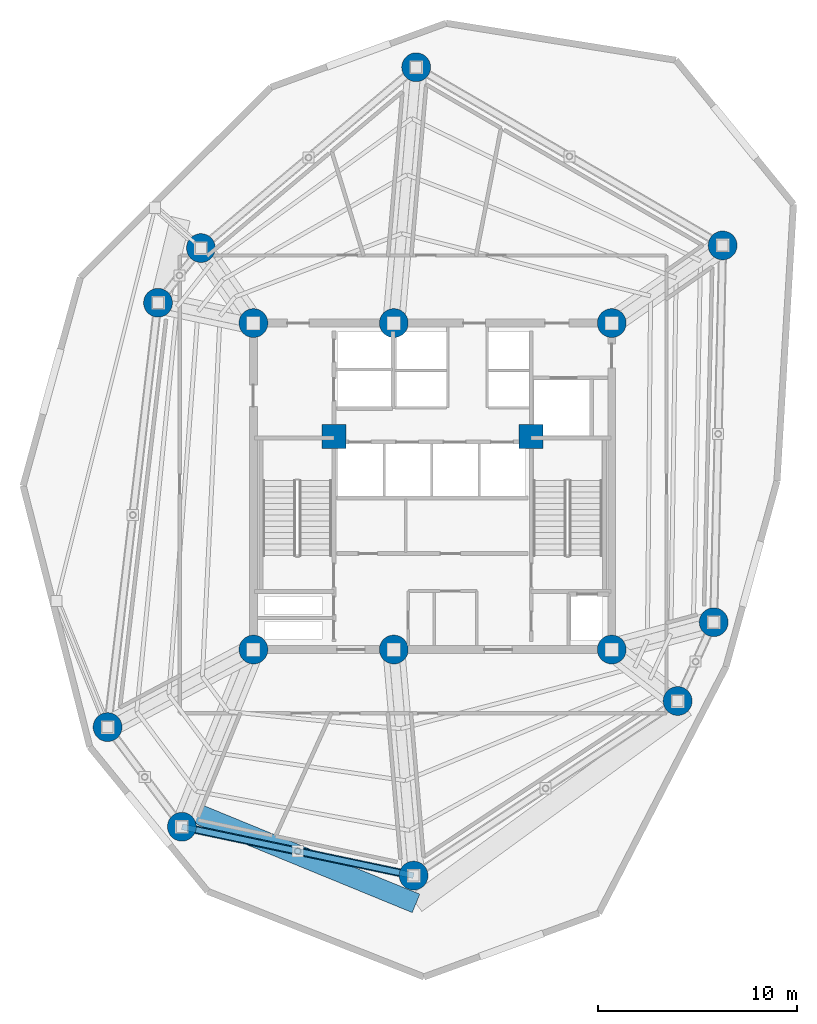
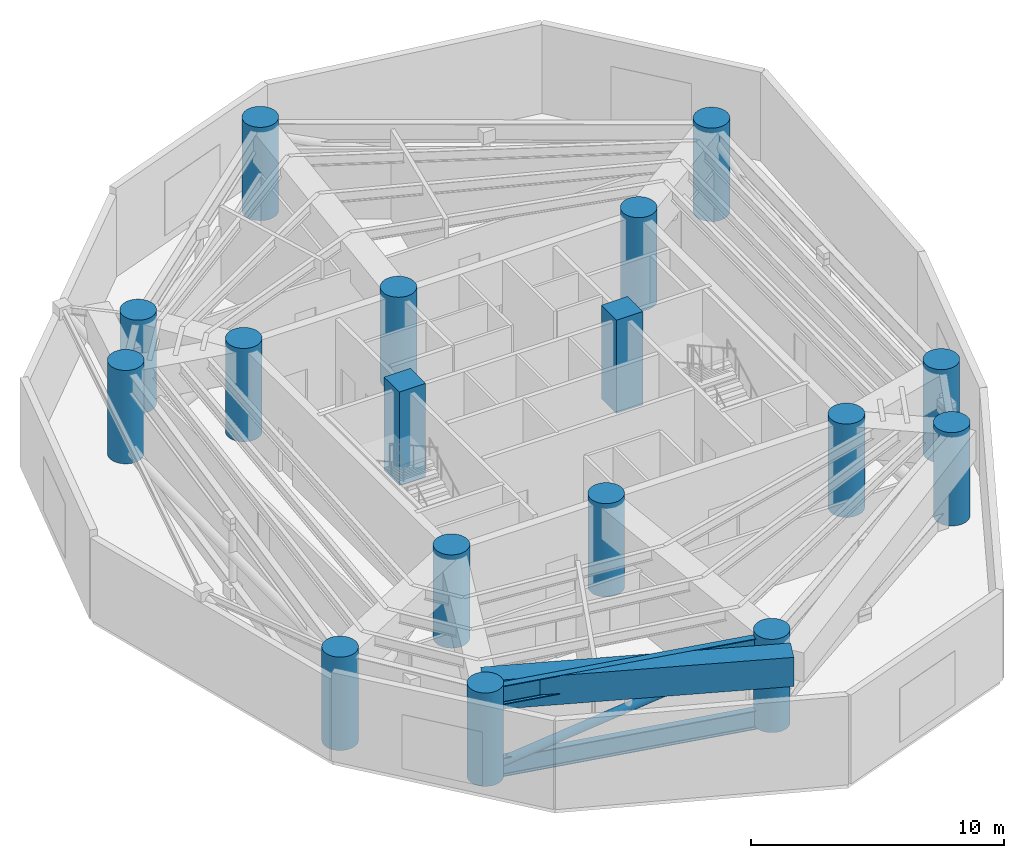
# One storey, part 1 of 11: 17 columns, 2 beams, 2 members.
"""IFC4 building model written with IfcOpenShell, lengths in metres."""

from ifc_helpers import new_model, si_unit, direction, frame, origin, origin_with_axes, origin_2d, place, context, subcontext, project, spatial, rectangle, circle, hollow_circle, i_section, extrude, source, transform, mapped, material, material_profile, profile_set, type_object, element, save


model = new_model("IFC4")

# Units and contexts
model_context = context("Model", 3, precision=1e-05, world=origin(), true_north=direction((0.0, 1.0)))
body_context = subcontext(model_context, "Body", "Model", "MODEL_VIEW")
ifc_project = project(units=[si_unit("LENGTHUNIT", "METRE"), si_unit("AREAUNIT", "SQUARE_METRE"), si_unit("VOLUMEUNIT", "CUBIC_METRE"), si_unit("PLANEANGLEUNIT", "RADIAN"), si_unit("MASSUNIT", "GRAM", prefix="KILO")], contexts=[model_context])

# Site, building, storey
site_placement = place(None, origin())
site = spatial("IfcSite", under=ifc_project, at=site_placement, CompositionType="ELEMENT")
building_placement = place(site_placement, origin())
building = spatial("IfcBuilding", under=site, at=building_placement, Name="Karkom Vertical University and Central Library", CompositionType="ELEMENT")
storey_placement = place(building_placement, frame((0.0, 0.0, 148.050048828125)))
storey = spatial("IfcBuildingStorey", under=building, at=storey_placement, Name="P42", CompositionType="ELEMENT", Elevation=148.050048828125)

# Columns
ifc_material_1 = material(Name="Concrete C50/60", Category="concrete")
ifc_material_profile_1 = material_profile(ifc_material_1, rectangle(XDim=1.199951171875, YDim=1.199951171875, at=origin_2d()), Name="RC-1200x1200")
ifc_profile_set_1 = profile_set([ifc_material_profile_1], Name="Concrete C50/60")
column_type_1 = type_object("IfcColumnType", Name="STR-COL-C-CC1", PredefinedType="COLUMN", material=ifc_profile_set_1)
shared_shape_1 = source(origin_with_axes(), body_context, "Body", "SweptSolid", [
    extrude(rectangle(XDim=1.199951171875, YDim=1.199951171875, at=origin_2d()), origin(), (0.0, 0.0, 1.0), 4.5),
])
for number, where, z_axis, x_axis, name in (
    (1, (23.550048828125, 29.0, 0.0), (0.0, 0.0, 1.0), (1.0, 0.0, 0.0), "Plant Level 42 Core Node Column CC-1"),
    (2, (33.449951171875, 29.0, 0.0), (0.0, 0.0, 1.0), (1.0, 0.0, 0.0), "Plant Level 42 Core Node Column CC-2"),
):
    element("IfcColumn", number, at=place(storey_placement, frame(where, z_axis=z_axis, x_axis=x_axis)), inside=storey, type_object=column_type_1, Name=name, PredefinedType="COLUMN", context=body_context, shape_type="MappedRepresentation", body=[
        mapped(shared_shape_1, transform((0.0, 0.0, 0.0), scale=1.0)),
    ])
ifc_material_profile_2 = material_profile(ifc_material_1, circle(Radius=0.72509765625, at=origin_2d()), Name="CFT-D1450")
ifc_profile_set_2 = profile_set([ifc_material_profile_2], Name="Concrete C50/60")
column_type_2 = type_object("IfcColumnType", Name="STR-COL-C-SC3", PredefinedType="COLUMN", material=ifc_profile_set_2)
shared_shape_2 = source(origin_with_axes(), body_context, "Body", "SweptSolid", [
    extrude(circle(Radius=0.72509765625, at=origin_2d()), origin(), (0.0, 0.0, 1.0), 4.5),
])
for number, where, z_axis, x_axis, name in (
    (3, (19.5, 18.300048828125, 0.0), (0.0, 0.0, 1.0), (1.0, 0.0, 0.0), "Plant Level 42 Spine Mega-Column SC-1"),
    (4, (26.550048828125, 18.300048828125, 0.0), (0.0, 0.0, 1.0), (1.0, 0.0, 0.0), "Plant Level 42 Spine Mega-Column SC-2"),
    (5, (37.5, 18.300048828125, 0.0), (0.0, 0.0, 1.0), (1.0, 0.0, 0.0), "Plant Level 42 Spine Mega-Column SC-3"),
    (6, (19.5, 34.699951171875, 0.0), (0.0, 0.0, 1.0), (1.0, 0.0, 0.0), "Plant Level 42 Spine Mega-Column SC-4"),
    (7, (26.550048828125, 34.699951171875, 0.0), (0.0, 0.0, 1.0), (1.0, 0.0, 0.0), "Plant Level 42 Spine Mega-Column SC-5"),
    (8, (37.5, 34.699951171875, 0.0), (0.0, 0.0, 1.0), (1.0, 0.0, 0.0), "Plant Level 42 Spine Mega-Column SC-6"),
    (9, (42.618896484375, 19.672119140625, 0.0), (0.0, 0.0, 1.0), (1.0, 0.0, 0.0), "Plant Level 42 Perimeter Mega-Column Z2-PC1"),
    (10, (43.070068359375, 38.60009765625, 0.0), (0.0, 0.0, 1.0), (1.0, 0.0, 0.0), "Plant Level 42 Perimeter Mega-Column Z2-PC2"),
    (11, (27.674072265625, 47.551025390625, 0.0), (0.0, 0.0, 1.0), (1.0, 0.0, 0.0), "Plant Level 42 Perimeter Mega-Column Z2-PC3"),
    (12, (16.862060546875, 38.468017578125, 0.0), (0.0, 0.0, 1.0), (1.0, 0.0, 0.0), "Plant Level 42 Perimeter Mega-Column Z2-PC4"),
    (13, (14.70703125, 35.718994140625, 0.0), (0.0, 0.0, 1.0), (1.0, 0.0, 0.0), "Plant Level 42 Perimeter Mega-Column Z2-PC5"),
    (14, (12.172119140625, 14.403076171875, 0.0), (0.0, 0.0, 1.0), (1.0, 0.0, 0.0), "Plant Level 42 Perimeter Mega-Column Z2-PC6"),
    (15, (15.904052734375, 9.39892578125, 0.0), (0.0, 0.0, 1.0), (1.0, 0.0, 0.0), "Plant Level 42 Perimeter Mega-Column Z2-PC7"),
    (16, (27.5439453125, 6.943115234375, 0.0), (0.0, 0.0, 1.0), (1.0, 0.0, 0.0), "Plant Level 42 Perimeter Mega-Column Z2-PC8"),
    (17, (40.81005859375, 15.714111328125, 0.0), (0.0, 0.0, 1.0), (1.0, 0.0, 0.0), "Plant Level 42 Perimeter Mega-Column Z2-PC9"),
):
    element("IfcColumn", number, at=place(storey_placement, frame(where, z_axis=z_axis, x_axis=x_axis)), inside=storey, type_object=column_type_2, Name=name, PredefinedType="COLUMN", context=body_context, shape_type="MappedRepresentation", body=[
        mapped(shared_shape_2, transform((0.0, 0.0, 0.0), scale=1.0)),
    ])

# Beams
ifc_material_2 = material(Name="Steel S460", Category="steel")
ifc_material_profile_3 = material_profile(ifc_material_2, i_section(OverallWidth=0.300048828125, OverallDepth=0.89990234375, WebThickness=0.0185546875, FlangeThickness=0.034912109375, FilletRadius=0.030029296875, at=origin_2d()), Name="HE 900 B")
ifc_profile_set_3 = profile_set([ifc_material_profile_3], Name="Steel S460")
beam_type_1 = type_object("IfcBeamType", Name="STR-BM-SB-HE900", PredefinedType="USERDEFINED", material=ifc_profile_set_3)
shared_shape_3 = source(origin_with_axes(), body_context, "Body", "SweptSolid", [
    extrude(i_section(OverallWidth=0.300048828125, OverallDepth=0.89990234375, WebThickness=0.0185546875, FlangeThickness=0.034912109375, FilletRadius=0.030029296875, at=origin_2d()), origin(), (0.0, 0.0, 1.0), 11.896240234375),
])
beam_1_placement = place(storey_placement, frame((15.904052734375, 9.39892578125, 3.824951171875), z_axis=(0.978459762135, -0.206437627101, 0.0), x_axis=(0.206437627101, 0.978459762135, 0.0)))
element("IfcBeam", 18, at=beam_1_placement, inside=storey, type_object=beam_type_1, Name="Plant Level 42 Perimeter Spandrel Beam 07", ObjectType="GIRDER", PredefinedType="USERDEFINED", context=body_context, shape_type="MappedRepresentation", body=[
    mapped(shared_shape_3, transform((0.0, 0.0, 0.0), scale=1.0)),
])
ifc_material_profile_4 = material_profile(ifc_material_1, rectangle(XDim=1.0, YDim=1.39990234375, at=origin_2d()), Name="TG-1000x1400")
ifc_profile_set_4 = profile_set([ifc_material_profile_4], Name="Concrete C50/60")
beam_type_2 = type_object("IfcBeamType", Name="STR-BM-TG-2", PredefinedType="USERDEFINED", material=ifc_profile_set_4)
shared_shape_4 = source(origin_with_axes(), body_context, "Body", "SweptSolid", [
    extrude(rectangle(XDim=1.0, YDim=1.39990234375, at=origin_2d()), origin(), (0.0, 0.0, 1.0), 12.34814453125),
])
beam_2_placement = place(storey_placement, frame((16.240966796875, 10.23388671875, 3.574951171875), z_axis=(0.925236428984, -0.37939102583, 0.0), x_axis=(0.37939102583, 0.925236428984, 0.0)))
element("IfcBeam", 19, at=beam_2_placement, inside=storey, type_object=beam_type_2, Name="Plant Level 42 Upper Column Transfer Ring 07", ObjectType="GIRDER", PredefinedType="USERDEFINED", context=body_context, shape_type="MappedRepresentation", body=[
    mapped(shared_shape_4, transform((0.0, 0.0, 0.0), scale=1.0)),
])

# Members
ifc_material_3 = material(Name="Steel S355", Category="steel")
ifc_material_profile_5 = material_profile(ifc_material_3, hollow_circle(Radius=0.203125, WallThickness=0.02001953125, at=origin_2d()), Name="CHS 406.4x20")
ifc_profile_set_5 = profile_set([ifc_material_profile_5], Name="Steel S355")
member_type_1 = type_object("IfcMemberType", Name="STR-MEM-BR-2", PredefinedType="BRACE", material=ifc_profile_set_5)
shared_shape_5 = source(origin_with_axes(), body_context, "Body", "SweptSolid", [
    extrude(hollow_circle(Radius=0.203125, WallThickness=0.02001953125, at=origin_2d()), origin(), (0.0, 0.0, 1.0), 12.36572265625),
])
member_1_placement = place(storey_placement, frame((15.904052734375, 9.39892578125, 0.349853515625), z_axis=(0.941310346219, -0.198599760317, 0.272933998073), x_axis=(0.206437627101, 0.978459762135, 0.0)))
element("IfcMember", 20, at=member_1_placement, inside=storey, type_object=member_type_1, Name="Plant Level 42 Belt Truss Diagonal Brace 07", PredefinedType="BRACE", context=body_context, shape_type="MappedRepresentation", body=[
    mapped(shared_shape_5, transform((0.0, 0.0, 0.0), scale=1.0)),
])
ifc_material_profile_6 = material_profile(ifc_material_2, i_section(OverallWidth=0.300048828125, OverallDepth=0.89990234375, WebThickness=0.0185546875, FlangeThickness=0.034912109375, FilletRadius=0.030029296875, at=origin_2d()), Name="HE 900 B")
ifc_profile_set_6 = profile_set([ifc_material_profile_6], Name="Steel S460")
member_type_2 = type_object("IfcMemberType", Name="STR-MEM-CH-1", PredefinedType="CHORD", material=ifc_profile_set_6)
shared_shape_6 = source(origin_with_axes(), body_context, "Body", "SweptSolid", [
    extrude(i_section(OverallWidth=0.300048828125, OverallDepth=0.89990234375, WebThickness=0.0185546875, FlangeThickness=0.034912109375, FilletRadius=0.030029296875, at=origin_2d()), origin(), (0.0, 0.0, 1.0), 11.896240234375),
])
member_2_placement = place(storey_placement, frame((15.904052734375, 9.39892578125, 0.349853515625), z_axis=(0.978459762135, -0.206437627101, 0.0), x_axis=(0.206437627101, 0.978459762135, 0.0)))
element("IfcMember", 21, at=member_2_placement, inside=storey, type_object=member_type_2, Name="Plant Level 42 Belt Truss Bottom Chord 07", PredefinedType="CHORD", context=body_context, shape_type="MappedRepresentation", body=[
    mapped(shared_shape_6, transform((0.0, 0.0, 0.0), scale=1.0)),
])

save(model, "model.ifc")
